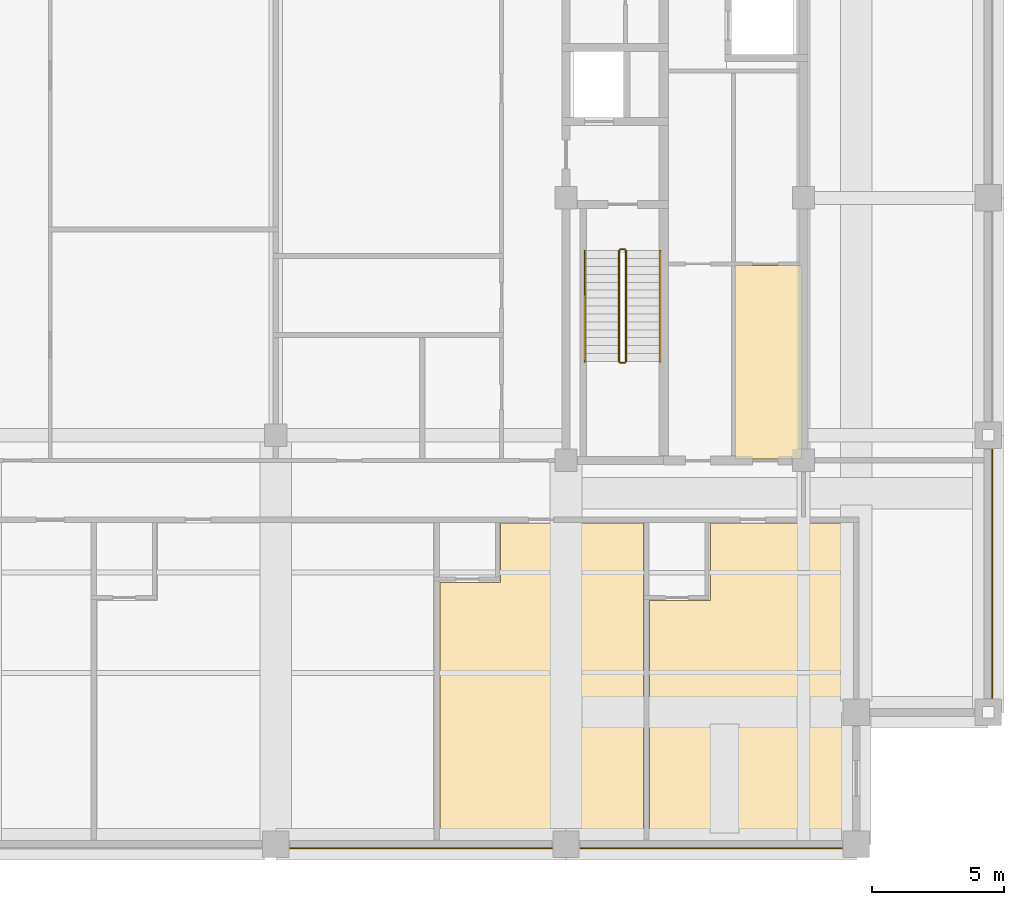
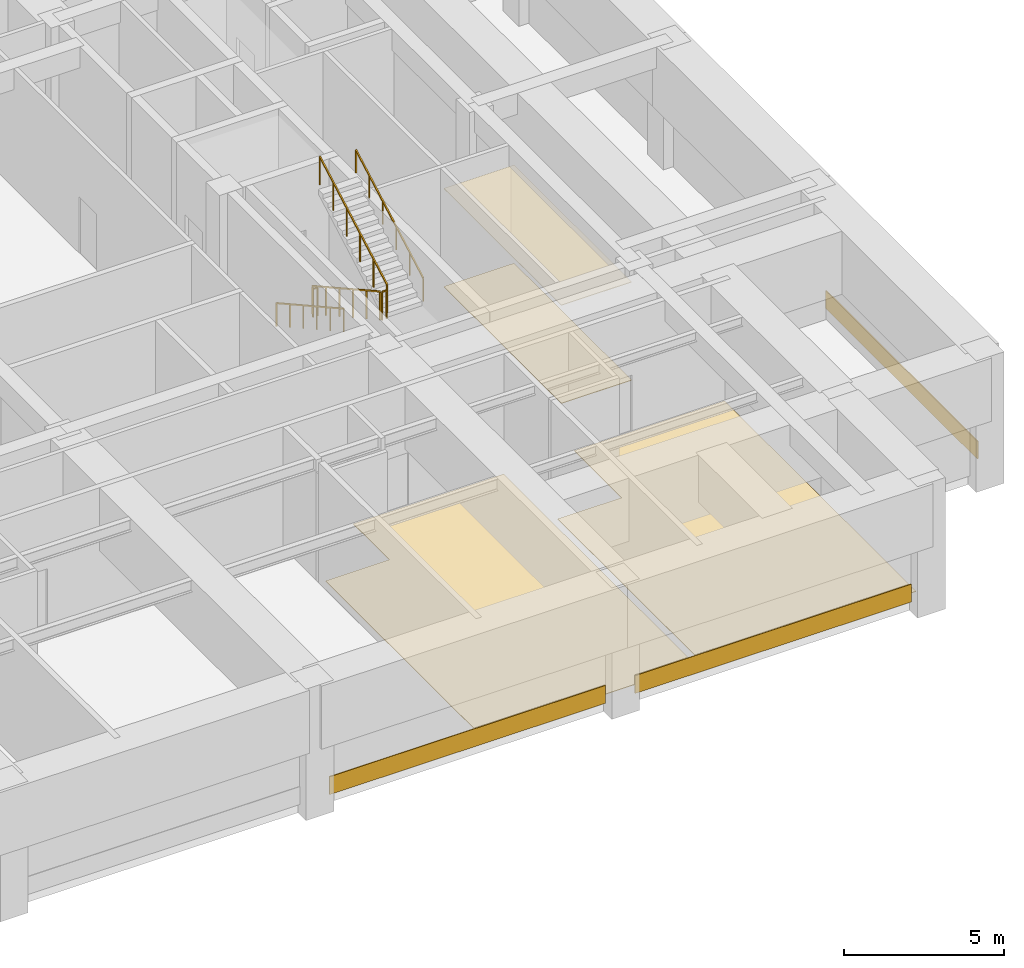
# One storey, part 10 of 11: 7 coverings, 6 railings.
"""IFC4 building model written with IfcOpenShell, lengths in metres."""

from ifc_helpers import new_model, si_unit, direction, frame, frame_2d, origin, origin_2d, place, context, subcontext, project, spatial, polyline, rectangle, outline, extrude, material, layer, layer_set, type_object, element, save


model = new_model("IFC4")

# Units and contexts
model_context = context("Model", 3, precision=1e-05, world=origin(), true_north=direction((0.0, 1.0)))
body_context = subcontext(model_context, "Body", "Model", "MODEL_VIEW")
ifc_project = project(units=[si_unit("LENGTHUNIT", "METRE"), si_unit("AREAUNIT", "SQUARE_METRE"), si_unit("VOLUMEUNIT", "CUBIC_METRE"), si_unit("PLANEANGLEUNIT", "RADIAN"), si_unit("MASSUNIT", "GRAM", prefix="KILO")], contexts=[model_context])

# Site, building, storey
site_placement = place(None, origin())
site = spatial("IfcSite", under=ifc_project, at=site_placement, CompositionType="ELEMENT")
building_placement = place(site_placement, origin())
building = spatial("IfcBuilding", under=site, at=building_placement, Name="Zulmaris Gate Convention Tower", CompositionType="ELEMENT")
storey_placement = place(building_placement, frame((0.0, 0.0, 186.4599609375)))
storey = spatial("IfcBuildingStorey", under=building, at=storey_placement, Name="L48", CompositionType="ELEMENT", Elevation=186.4599609375)

# Coverings
ifc_material_1 = material(Name="Precast concrete C40/50", Category="concrete")
ifc_layer_1 = layer(ifc_material_1, 0.0400390625, Name="Precast concrete C40/50")
ifc_layer_set_1 = layer_set([ifc_layer_1], Name="Precast concrete C40/50")
covering_type_1 = type_object("IfcCoveringType", Name="CLAD-SPANDREL-PRECAST", PredefinedType="CLADDING", material=ifc_layer_set_1)
for number, where, z_axis, x_axis, name in (
    (1, (0.530029296875, -24.64990234375, 0.0), (0.0, 0.0, 1.0), (1.0, 0.0, 0.0), "CLD-L48-S-2_0"),
    (2, (11.530029296875, -24.64990234375, 0.0), (0.0, 0.0, 1.0), (1.0, 0.0, 0.0), "CLD-L48-S-3_0"),
):
    element("IfcCovering", number, at=place(storey_placement, frame(where, z_axis=z_axis, x_axis=x_axis)), inside=storey, type_object=covering_type_1, Name=name, PredefinedType="CLADDING", context=body_context, shape_type="SweptSolid", body=[
        extrude(rectangle(XDim=9.93994140625, YDim=0.0400390625, at=frame_2d((4.969970703125, 0.0))), origin(), (0.0, 0.0, 1.0), 0.679931640625),
    ])
covering_1_placement = place(storey_placement, frame((27.14990234375, -18.969970703125, 0.0), z_axis=(0.0, 0.0, 1.0), x_axis=(0.0, 1.0, 0.0)))
element("IfcCovering", 3, at=covering_1_placement, inside=storey, type_object=covering_type_1, Name="CLD-L48-E-0_0", PredefinedType="CLADDING", context=body_context, shape_type="SweptSolid", body=[
    extrude(rectangle(XDim=9.43994140625, YDim=0.0400390625, at=frame_2d((4.719970703125, 0.0))), origin(), (0.0, 0.0, 1.0), 0.679931640625),
])
ifc_material_2 = material(Name="Mineral Fibre Acoustic Ceiling Tile")
ifc_layer_2 = layer(ifc_material_2, 0.02001953125, Name="Mineral Fibre Acoustic Ceiling Tile")
ifc_layer_set_2 = layer_set([ifc_layer_2], Name="Mineral Fibre Acoustic Ceiling Tile")
covering_type_2 = type_object("IfcCoveringType", Name="CLG-ACOUSTIC-600", PredefinedType="CEILING", material=ifc_layer_set_2)
covering_2_placement = place(storey_placement, frame((0.0, 0.0, 3.735107421875)))
element("IfcCovering", 4, at=covering_2_placement, inside=storey, type_object=covering_type_2, Name="CLG-L48-R27", PredefinedType="CEILING", context=body_context, shape_type="SweptSolid", body=[
    extrude(outline(polyline([(17.409912109375, -9.889892578125), (19.93994140625, -9.889892578125), (19.93994140625, -2.56005859375), (17.409912109375, -2.56005859375), (17.409912109375, -9.889892578125)])), origin(), (0.0, 0.0, 1.0), 0.02001953125),
])
ifc_material_3 = material(Name="Woven Acoustic Wool Carpet Tile")
ifc_layer_3 = layer(ifc_material_3, 0.02001953125, Name="Woven Acoustic Wool Carpet Tile")
ifc_layer_set_3 = layer_set([ifc_layer_3], Name="Woven Acoustic Wool Carpet Tile")
covering_type_3 = type_object("IfcCoveringType", Name="FLR-CARPET-12", PredefinedType="FLOORING", material=ifc_layer_set_3)
covering_3_placement = place(storey_placement, origin())
element("IfcCovering", 5, at=covering_3_placement, inside=storey, type_object=covering_type_3, Name="FLR-L48-R27", PredefinedType="FLOORING", context=body_context, shape_type="SweptSolid", body=[
    extrude(outline(polyline([(17.409912109375, -9.889892578125), (19.93994140625, -9.889892578125), (19.93994140625, -2.56005859375), (17.409912109375, -2.56005859375), (17.409912109375, -9.889892578125)])), origin(), (0.0, 0.0, 1.0), 0.02001953125),
])
ifc_material_4 = material(Name="Engineered Teak Parquet Flooring")
ifc_layer_4 = layer(ifc_material_4, 0.02001953125, Name="Engineered Teak Parquet Flooring")
ifc_layer_set_4 = layer_set([ifc_layer_4], Name="Engineered Teak Parquet Flooring")
covering_type_4 = type_object("IfcCoveringType", Name="FLR-TIMBER-18", PredefinedType="FLOORING", material=ifc_layer_set_4)
covering_4_placement = place(storey_placement, origin())
element("IfcCovering", 6, at=covering_4_placement, inside=storey, type_object=covering_type_4, Name="FLR-L48-R49", PredefinedType="FLOORING", context=body_context, shape_type="SweptSolid", body=[
    extrude(outline(polyline([(6.219970703125, -24.260009765625), (13.929931640625, -24.260009765625), (13.929931640625, -12.320068359375), (8.52001953125, -12.320068359375), (8.52001953125, -14.570068359375), (6.219970703125, -14.570068359375), (6.219970703125, -24.260009765625)])), origin(), (0.0, 0.0, 1.0), 0.02001953125),
])
covering_5_placement = place(storey_placement, origin())
element("IfcCovering", 7, at=covering_5_placement, inside=storey, type_object=covering_type_4, Name="FLR-L48-R51", PredefinedType="FLOORING", context=body_context, shape_type="SweptSolid", body=[
    extrude(outline(polyline([(14.169921875, -24.260009765625), (21.8798828125, -24.260009765625), (21.8798828125, -12.320068359375), (16.469970703125, -12.320068359375), (16.469970703125, -15.27001953125), (14.169921875, -15.27001953125), (14.169921875, -24.260009765625)])), origin(), (0.0, 0.0, 1.0), 0.02001953125),
])

# Railings
ifc_material_5 = material(Name="Painted Galvanised Steel", Category="steel")
railing_type_1 = type_object("IfcRailingType", Name="RL-STG-1150", PredefinedType="GUARDRAIL", material=ifc_material_5)
railing_1_placement = place(storey_placement, frame((13.010009765625, -2.0, 0.166748046875)))
element("IfcRailing", 8, at=railing_1_placement, inside=storey, type_object=railing_type_1, Name="L48 ST-2 stair guard 1", PredefinedType="GUARDRAIL", context=body_context, shape_type="SweptSolid", body=[
    extrude(rectangle(XDim=0.048095703125, YDim=0.048095703125, at=origin_2d()), frame((0.0, 0.0, 1.076171875), z_axis=(0.0, -0.874162069901, 0.485634302275), x_axis=(1.0, 0.0, 0.0)), (0.0, 0.0, 1.0), 4.804443359375),
    extrude(rectangle(XDim=0.0419921875, YDim=0.0419921875, at=origin_2d()), origin(), (0.0, 0.0, 1.0), 1.052001953125),
    extrude(rectangle(XDim=0.0419921875, YDim=0.0419921875, at=origin_2d()), frame((0.0, -0.840087890625, 0.466552734375)), (0.0, 0.0, 1.0), 1.052001953125),
    extrude(rectangle(XDim=0.0419921875, YDim=0.0419921875, at=origin_2d()), frame((0.0, -1.679931640625, 0.933349609375)), (0.0, 0.0, 1.0), 1.052001953125),
    extrude(rectangle(XDim=0.0419921875, YDim=0.0419921875, at=origin_2d()), frame((0.0, -2.52001953125, 1.39990234375)), (0.0, 0.0, 1.0), 1.052001953125),
    extrude(rectangle(XDim=0.0419921875, YDim=0.0419921875, at=origin_2d()), frame((0.0, -3.35986328125, 1.86669921875)), (0.0, 0.0, 1.0), 1.052001953125),
    extrude(rectangle(XDim=0.0419921875, YDim=0.0419921875, at=origin_2d()), frame((0.0, -4.199951171875, 2.333251953125)), (0.0, 0.0, 1.0), 1.052001953125),
])
railing_2_placement = place(storey_placement, frame((13.06005859375, -6.25, 2.5)))
element("IfcRailing", 9, at=railing_2_placement, inside=storey, type_object=railing_type_1, Name="L48 ST-2 stair guard 2", PredefinedType="GUARDRAIL", context=body_context, shape_type="SweptSolid", body=[
    extrude(rectangle(XDim=0.048095703125, YDim=0.048095703125, at=origin_2d()), frame((0.0, 0.0, 1.076171875), z_axis=(1.0, 0.0, 0.0), x_axis=(0.0, 1.0, 0.0)), (0.0, 0.0, 1.0), 0.159912109375),
    extrude(rectangle(XDim=0.0419921875, YDim=0.0419921875, at=origin_2d()), origin(), (0.0, 0.0, 1.0), 1.052001953125),
    extrude(rectangle(XDim=0.0419921875, YDim=0.0419921875, at=origin_2d()), frame((0.159912109375, 0.0, 0.0)), (0.0, 0.0, 1.0), 1.052001953125),
])
railing_3_placement = place(storey_placement, frame((13.27001953125, -6.199951171875, 2.666748046875)))
element("IfcRailing", 10, at=railing_3_placement, inside=storey, type_object=railing_type_1, Name="L48 ST-2 stair guard 3", PredefinedType="GUARDRAIL", context=body_context, shape_type="SweptSolid", body=[
    extrude(rectangle(XDim=0.048095703125, YDim=0.048095703125, at=origin_2d()), frame((0.0, 0.0, 1.076171875), z_axis=(0.0, 0.874162069901, 0.485634302275), x_axis=(-1.0, 0.0, 0.0)), (0.0, 0.0, 1.0), 4.804443359375),
    extrude(rectangle(XDim=0.0419921875, YDim=0.0419921875, at=origin_2d()), origin(), (0.0, 0.0, 1.0), 1.052001953125),
    extrude(rectangle(XDim=0.0419921875, YDim=0.0419921875, at=origin_2d()), frame((0.0, 0.840087890625, 0.466552734375)), (0.0, 0.0, 1.0), 1.052001953125),
    extrude(rectangle(XDim=0.0419921875, YDim=0.0419921875, at=origin_2d()), frame((0.0, 1.679931640625, 0.933349609375)), (0.0, 0.0, 1.0), 1.052001953125),
    extrude(rectangle(XDim=0.0419921875, YDim=0.0419921875, at=origin_2d()), frame((0.0, 2.52001953125, 1.39990234375)), (0.0, 0.0, 1.0), 1.052001953125),
    extrude(rectangle(XDim=0.0419921875, YDim=0.0419921875, at=origin_2d()), frame((0.0, 3.35986328125, 1.86669921875)), (0.0, 0.0, 1.0), 1.052001953125),
    extrude(rectangle(XDim=0.0419921875, YDim=0.0419921875, at=origin_2d()), frame((0.0, 4.199951171875, 2.333251953125)), (0.0, 0.0, 1.0), 1.052001953125),
])
railing_4_placement = place(storey_placement, frame((13.06005859375, -1.949951171875, 0.0)))
element("IfcRailing", 11, at=railing_4_placement, inside=storey, type_object=railing_type_1, Name="L48 ST-2 stair guard 4", PredefinedType="GUARDRAIL", context=body_context, shape_type="SweptSolid", body=[
    extrude(rectangle(XDim=0.048095703125, YDim=0.048095703125, at=origin_2d()), frame((0.0, 0.0, 1.076171875), z_axis=(1.0, 0.0, 0.0), x_axis=(0.0, 1.0, 0.0)), (0.0, 0.0, 1.0), 0.159912109375),
    extrude(rectangle(XDim=0.0419921875, YDim=0.0419921875, at=origin_2d()), origin(), (0.0, 0.0, 1.0), 1.052001953125),
    extrude(rectangle(XDim=0.0419921875, YDim=0.0419921875, at=origin_2d()), frame((0.159912109375, 0.0, 0.0)), (0.0, 0.0, 1.0), 1.052001953125),
])
ifc_material_6 = material(Name="Brushed Stainless Steel", Category="steel")
railing_type_2 = type_object("IfcRailingType", Name="RL-STH-900", PredefinedType="HANDRAIL", material=ifc_material_6)
railing_5_placement = place(storey_placement, frame((11.7099609375, -2.0, 0.166748046875)))
element("IfcRailing", 12, at=railing_5_placement, inside=storey, type_object=railing_type_2, Name="L48 ST-2 stair handrail 1", PredefinedType="HANDRAIL", context=body_context, shape_type="SweptSolid", body=[
    extrude(rectangle(XDim=0.048095703125, YDim=0.048095703125, at=origin_2d()), frame((0.0, 0.0, 0.8759765625), z_axis=(0.0, -0.874162069901, 0.485634302275), x_axis=(1.0, 0.0, 0.0)), (0.0, 0.0, 1.0), 4.804443359375),
    extrude(rectangle(XDim=0.0419921875, YDim=0.0419921875, at=origin_2d()), origin(), (0.0, 0.0, 1.0), 0.851806640625),
    extrude(rectangle(XDim=0.0419921875, YDim=0.0419921875, at=origin_2d()), frame((0.0, -0.840087890625, 0.466552734375)), (0.0, 0.0, 1.0), 0.851806640625),
    extrude(rectangle(XDim=0.0419921875, YDim=0.0419921875, at=origin_2d()), frame((0.0, -1.679931640625, 0.933349609375)), (0.0, 0.0, 1.0), 0.851806640625),
    extrude(rectangle(XDim=0.0419921875, YDim=0.0419921875, at=origin_2d()), frame((0.0, -2.52001953125, 1.39990234375)), (0.0, 0.0, 1.0), 0.851806640625),
    extrude(rectangle(XDim=0.0419921875, YDim=0.0419921875, at=origin_2d()), frame((0.0, -3.35986328125, 1.86669921875)), (0.0, 0.0, 1.0), 0.851806640625),
    extrude(rectangle(XDim=0.0419921875, YDim=0.0419921875, at=origin_2d()), frame((0.0, -4.199951171875, 2.333251953125)), (0.0, 0.0, 1.0), 0.851806640625),
])
railing_6_placement = place(storey_placement, frame((14.570068359375, -6.199951171875, 2.666748046875)))
element("IfcRailing", 13, at=railing_6_placement, inside=storey, type_object=railing_type_2, Name="L48 ST-2 stair handrail 2", PredefinedType="HANDRAIL", context=body_context, shape_type="SweptSolid", body=[
    extrude(rectangle(XDim=0.048095703125, YDim=0.048095703125, at=origin_2d()), frame((0.0, 0.0, 0.8759765625), z_axis=(0.0, 0.874162069901, 0.485634302275), x_axis=(-1.0, 0.0, 0.0)), (0.0, 0.0, 1.0), 4.804443359375),
    extrude(rectangle(XDim=0.0419921875, YDim=0.0419921875, at=origin_2d()), origin(), (0.0, 0.0, 1.0), 0.851806640625),
    extrude(rectangle(XDim=0.0419921875, YDim=0.0419921875, at=origin_2d()), frame((0.0, 0.840087890625, 0.466552734375)), (0.0, 0.0, 1.0), 0.851806640625),
    extrude(rectangle(XDim=0.0419921875, YDim=0.0419921875, at=origin_2d()), frame((0.0, 1.679931640625, 0.933349609375)), (0.0, 0.0, 1.0), 0.851806640625),
    extrude(rectangle(XDim=0.0419921875, YDim=0.0419921875, at=origin_2d()), frame((0.0, 2.52001953125, 1.39990234375)), (0.0, 0.0, 1.0), 0.851806640625),
    extrude(rectangle(XDim=0.0419921875, YDim=0.0419921875, at=origin_2d()), frame((0.0, 3.35986328125, 1.86669921875)), (0.0, 0.0, 1.0), 0.851806640625),
    extrude(rectangle(XDim=0.0419921875, YDim=0.0419921875, at=origin_2d()), frame((0.0, 4.199951171875, 2.333251953125)), (0.0, 0.0, 1.0), 0.851806640625),
])

save(model, "model.ifc")
